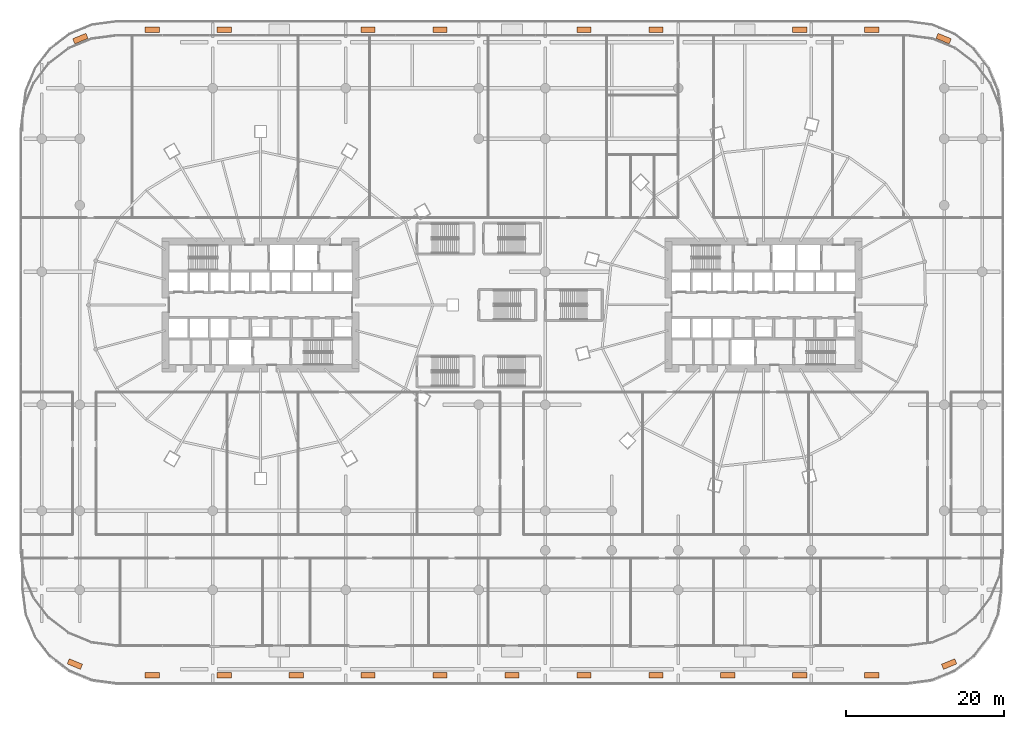
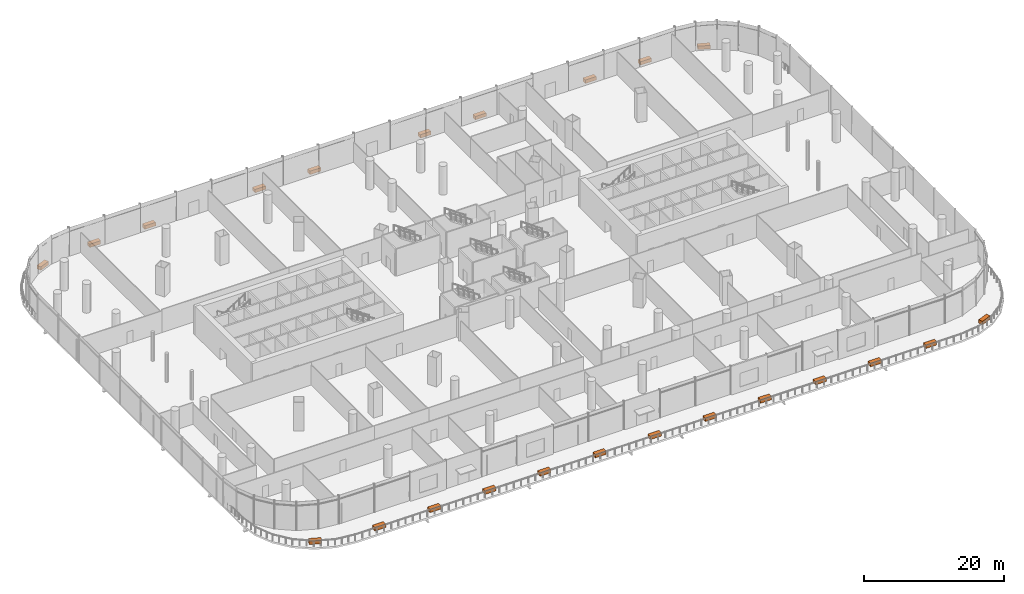
# One storey, part 51 of 51: 23 proxies.
"""IFC4 building model written with IfcOpenShell, lengths in metres."""

import ifcopenshell
import ifcopenshell.guid

model = None  # the IFC model being written
_history = None  # IfcOwnerHistory: only IFC2X3 demands one
_inside = {}  # id of a spatial element -> (the spatial element, [elements in it])
_under = {}  # id of a project, library or spatial element -> (it, [spatial elements below it])
_declared = {}  # id of a project -> (the project, [libraries it declares])
_typed = {}  # id of a type object -> (the type object, [elements of that type])
_made_of = {}  # id of a material, layer set ... -> (it, [elements and type objects made of it])


def new_model(schema):
    """Start an empty IFC model of exactly this schema.

    Asked for "IFC4X3", IfcOpenShell would pick the latest addendum, in which some entities
    have other attributes; the version numbers below select the first issue.
    IFC2X3 requires an IfcOwnerHistory on every rooted entity: one is made here for all.
    """
    global model, _history
    if schema == "IFC4X3":
        model = ifcopenshell.file(schema_version=(4, 3, 0, 0))
    else:
        model = ifcopenshell.file(schema=schema)
    _inside.clear()
    _under.clear()
    _declared.clear()
    _typed.clear()
    _made_of.clear()
    _history = None
    if model.schema == "IFC2X3":
        org = make("IfcOrganization", Name="unknown")
        user = make(
            "IfcPersonAndOrganization",
            ThePerson=make("IfcPerson", FamilyName="unknown"),
            TheOrganization=org,
        )
        app = make(
            "IfcApplication",
            ApplicationDeveloper=org,
            Version="unknown",
            ApplicationFullName="unknown",
            ApplicationIdentifier="unknown",
        )
        _history = make(
            "IfcOwnerHistory",
            OwningUser=user,
            OwningApplication=app,
            ChangeAction="ADDED",
            CreationDate=0,
        )
    return model


def make(cls, **values):
    """One entity of the class cls with the attributes given. An attribute that is None is left unset."""
    return model.create_entity(
        cls, **{name: value for name, value in values.items() if value is not None}
    )


def rooted(cls, **values):
    """An entity with a GlobalId (a new one), such as an element, a storey or a relation."""
    return make(cls, GlobalId=ifcopenshell.guid.new(), OwnerHistory=_history, **values)


def si_unit(unit_type, name, prefix=None):
    """IfcSIUnit, for example si_unit("LENGTHUNIT", "METRE", prefix="MILLI")."""
    return make("IfcSIUnit", UnitType=unit_type, Prefix=prefix, Name=name)


def assignment(units):
    """IfcUnitAssignment: the units of a project."""
    return None if units is None else make("IfcUnitAssignment", Units=units)


def point(xyz):
    """IfcCartesianPoint."""
    return None if xyz is None else make("IfcCartesianPoint", Coordinates=xyz)


def direction(xyz):
    """IfcDirection."""
    return None if xyz is None else make("IfcDirection", DirectionRatios=xyz)


def frame(location, z_axis=None, x_axis=None):
    """IfcAxis2Placement3D, a coordinate frame: its origin and axes. An axis left out is left unset."""
    return make(
        "IfcAxis2Placement3D",
        Location=point(location),
        Axis=direction(z_axis),
        RefDirection=direction(x_axis),
    )


def frame_2d(location, x_axis=None):
    """IfcAxis2Placement2D, a coordinate frame in the plane: its origin and x axis."""
    return make(
        "IfcAxis2Placement2D", Location=point(location), RefDirection=direction(x_axis)
    )


def origin():
    """The frame at (0, 0, 0) with its axes left unset."""
    return frame((0.0, 0.0, 0.0))


def origin_2d():
    """The frame at (0, 0) in the plane with its x axis left unset."""
    return frame_2d((0.0, 0.0))


def place(relative_to, where):
    """IfcLocalPlacement: puts the frame where relative to a parent placement (None: the world)."""
    return make(
        "IfcLocalPlacement", PlacementRelTo=relative_to, RelativePlacement=where
    )


def context(
    kind, dimensions, precision=None, world=None, true_north=None, identifier=None
):
    """IfcGeometricRepresentationContext, for example the 3D "Model" context."""
    return make(
        "IfcGeometricRepresentationContext",
        ContextIdentifier=identifier,
        ContextType=kind,
        CoordinateSpaceDimension=dimensions,
        Precision=precision,
        WorldCoordinateSystem=world,
        TrueNorth=true_north,
    )


def subcontext(parent, identifier, kind, view, scale=None):
    """IfcGeometricRepresentationSubContext, for example "Body" below "Model"."""
    return make(
        "IfcGeometricRepresentationSubContext",
        ContextIdentifier=identifier,
        ContextType=kind,
        ParentContext=parent,
        TargetScale=scale,
        TargetView=view,
    )


def project(units=None, contexts=None):
    """IfcProject with its units and contexts."""
    return rooted(
        "IfcProject",
        Name="project",
        RepresentationContexts=contexts,
        UnitsInContext=assignment(units),
    )


def spatial(cls, under=None, at=None, **own):
    """A site, building, storey or space (cls), placed at a placement, below another one or the project."""
    s = rooted(cls, ObjectPlacement=at, **own)
    if under is not None:
        _under.setdefault(under.id(), (under, []))[1].append(s)
    return s


def profile(cls, at=None, kind="AREA", **sizes):
    """A parametric profile (cls). Its sizes go by their IFC names, for example OverallWidth=200.0."""
    return make(cls, ProfileType=kind, Position=at, **sizes)


def rectangle(**sizes):
    """IfcRectangleProfileDef."""
    return profile("IfcRectangleProfileDef", **sizes)


def extrude(swept, where, along, depth):
    """IfcExtrudedAreaSolid: the profile swept, set in the frame where, extruded along a direction by depth."""
    return make(
        "IfcExtrudedAreaSolid",
        SweptArea=swept,
        Position=where,
        ExtrudedDirection=direction(along),
        Depth=depth,
    )


def shape(context_of_items, identifier, shape_type, items):
    """IfcShapeRepresentation: the items that make up one representation, for example the "Body"."""
    return make(
        "IfcShapeRepresentation",
        ContextOfItems=context_of_items,
        RepresentationIdentifier=identifier,
        RepresentationType=shape_type,
        Items=items,
    )


def material(Name=None, Category=None):
    """IfcMaterial."""
    return make("IfcMaterial", Name=Name, Category=Category)


def made_of(thing, what):
    """Note that an element or type object is made of a material, layer set ...; save() writes the relation."""
    if what is not None:
        _made_of.setdefault(what.id(), (what, []))[1].append(thing)
    return thing


def type_object(cls, material=None, **own):
    """A type object (cls), such as IfcWallType, which elements share."""
    return made_of(rooted(cls, **own), material)


def element(
    cls,
    number,
    at=None,
    inside=None,
    cuts=None,
    type_object=None,
    material=None,
    context=None,
    identifier="Body",
    shape_type=None,
    held_by="IfcProductDefinitionShape",
    body=None,
    shapes=None,
    **own,
):
    """One element of the class cls, such as IfcWall. Its Tag is "e" and its number.

    at: its placement. inside: the storey or other place that contains it. cuts: it is an
    opening in that element (IfcRelVoidsElement). A single representation is given by context,
    identifier, shape_type and body (its items); several are given by shapes. held_by: the class
    of the entity that holds the representations. save() writes the other relations.
    """
    e = rooted(cls, Tag="e%d" % number, ObjectPlacement=at, **own)
    if body is not None:
        shapes = [shape(context, identifier, shape_type, body)]
    if shapes is not None:
        e.Representation = make(held_by, Representations=shapes)
    if inside is not None:
        _inside.setdefault(inside.id(), (inside, []))[1].append(e)
    if cuts is not None:
        rooted(
            "IfcRelVoidsElement", RelatingBuildingElement=cuts, RelatedOpeningElement=e
        )
    if type_object is not None:
        _typed.setdefault(type_object.id(), (type_object, []))[1].append(e)
    return made_of(e, material)


def aggregate(whole, parts):
    """IfcRelAggregates: a whole, such as a stair, and the parts it consists of."""
    return rooted("IfcRelAggregates", RelatingObject=whole, RelatedObjects=parts)


def save(model, path):
    """Write the relations noted so far, then the file.

    IfcRelAggregates (storeys below a building ...), IfcRelContainedInSpatialStructure (elements
    in a storey), IfcRelDefinesByType, IfcRelAssociatesMaterial and IfcRelDeclares: one each for
    every whole, place, type object, material and project.
    """
    for whole, parts in _under.values():
        aggregate(whole, parts)
    for where, things in _inside.values():
        rooted(
            "IfcRelContainedInSpatialStructure",
            RelatedElements=things,
            RelatingStructure=where,
        )
    for kind, things in _typed.values():
        rooted("IfcRelDefinesByType", RelatedObjects=things, RelatingType=kind)
    for what, things in _made_of.values():
        rooted("IfcRelAssociatesMaterial", RelatedObjects=things, RelatingMaterial=what)
    for by, libraries in _declared.values():
        rooted("IfcRelDeclares", RelatingContext=by, RelatedDefinitions=libraries)
    model.write(path)


model = new_model("IFC4")

# Units and contexts
model_context = context("Model", 3, precision=1e-05, world=origin(), true_north=direction((0.0, 1.0)))
body_context = subcontext(model_context, "Body", "Model", "MODEL_VIEW")
ifc_project = project(units=[si_unit("LENGTHUNIT", "METRE"), si_unit("AREAUNIT", "SQUARE_METRE"), si_unit("VOLUMEUNIT", "CUBIC_METRE"), si_unit("PLANEANGLEUNIT", "RADIAN"), si_unit("MASSUNIT", "GRAM", prefix="KILO")], contexts=[model_context])

# Site, building, storey
site_placement = place(None, origin())
site = spatial("IfcSite", under=ifc_project, at=site_placement, CompositionType="ELEMENT")
building_placement = place(site_placement, origin())
building = spatial("IfcBuilding", under=site, at=building_placement, Name="Rimbun Link Towers", CompositionType="ELEMENT")
storey_placement = place(building_placement, frame((0.0, 0.0, 7.0)))
storey = spatial("IfcBuildingStorey", under=building, at=storey_placement, Name="L01", CompositionType="ELEMENT", Elevation=7.0)

# Proxies
ifc_material = material(Name="Concrete C30/37", Category="concrete")
building_element_proxy_type = type_object("IfcBuildingElementProxyType", Name="PLANTER precast box 1800X700X600", PredefinedType="USERDEFINED", material=ifc_material)
for number, where, z_axis, x_axis, name in (
    (1, (-55.22021484375, -45.3623046875, 0.0), (0.0, 0.0, 1.0), (0.923881438965, -0.382678829747, 0.0), "PLANTER"),
    (2, (-45.442626953125, -46.75, 0.0), (0.0, 0.0, 1.0), (1.0, 0.0, 0.0), "PLANTER"),
    (3, (-36.35400390625, -46.75, 0.0), (0.0, 0.0, 1.0), (1.0, 0.0, 0.0), "PLANTER"),
    (4, (-27.265625, -46.75, 0.0), (0.0, 0.0, 1.0), (1.0, 0.0, 0.0), "PLANTER"),
    (5, (-18.177001953125, -46.75, 0.0), (0.0, 0.0, 1.0), (1.0, 0.0, 0.0), "PLANTER"),
    (6, (-9.088623046875, -46.75, 0.0), (0.0, 0.0, 1.0), (1.0, 0.0, 0.0), "PLANTER"),
    (7, (0.0, -46.75, 0.0), (0.0, 0.0, 1.0), (1.0, 0.0, 0.0), "PLANTER"),
    (8, (9.088623046875, -46.75, 0.0), (0.0, 0.0, 1.0), (1.0, 0.0, 0.0), "PLANTER"),
    (9, (18.177001953125, -46.75, 0.0), (0.0, 0.0, 1.0), (1.0, 0.0, 0.0), "PLANTER"),
    (10, (27.265625, -46.75, 0.0), (0.0, 0.0, 1.0), (1.0, 0.0, 0.0), "PLANTER"),
    (11, (36.35400390625, -46.75, 0.0), (0.0, 0.0, 1.0), (1.0, 0.0, 0.0), "PLANTER"),
    (12, (45.442626953125, -46.75, 0.0), (0.0, 0.0, 1.0), (1.0, 0.0, 0.0), "PLANTER"),
    (13, (55.22021484375, -45.3623046875, 0.0), (0.0, 0.0, 1.0), (0.923881438965, 0.382678829747, 0.0), "PLANTER"),
    (14, (54.52734375, 33.649169921875, 0.0), (0.0, 0.0, 1.0), (-0.923881438965, 0.382678829747, 0.0), "PLANTER"),
    (15, (45.442626953125, 34.75, 0.0), (0.0, 0.0, 1.0), (-1.0, 0.0, 0.0), "PLANTER"),
    (16, (36.35400390625, 34.75, 0.0), (0.0, 0.0, 1.0), (-1.0, 0.0, 0.0), "PLANTER"),
    (17, (18.177001953125, 34.75, 0.0), (0.0, 0.0, 1.0), (-1.0, 0.0, 0.0), "PLANTER"),
    (18, (9.088623046875, 34.75, 0.0), (0.0, 0.0, 1.0), (-1.0, 0.0, 0.0), "PLANTER"),
    (19, (-9.088623046875, 34.75, 0.0), (0.0, 0.0, 1.0), (-1.0, 0.0, 0.0), "PLANTER"),
    (20, (-18.177001953125, 34.75, 0.0), (0.0, 0.0, 1.0), (-1.0, 0.0, 0.0), "PLANTER"),
    (21, (-36.35400390625, 34.75, 0.0), (0.0, 0.0, 1.0), (-1.0, 0.0, 0.0), "PLANTER"),
    (22, (-45.442626953125, 34.75, 0.0), (0.0, 0.0, 1.0), (-1.0, 0.0, 0.0), "PLANTER"),
    (23, (-54.52734375, 33.649169921875, 0.0), (0.0, 0.0, 1.0), (-0.923881438965, -0.382678829747, 0.0), "PLANTER"),
):
    element("IfcBuildingElementProxy", number, at=place(storey_placement, frame(where, z_axis=z_axis, x_axis=x_axis)), inside=storey, type_object=building_element_proxy_type, Name=name, ObjectType="PLANTER", PredefinedType="USERDEFINED", context=body_context, shape_type="SweptSolid", body=[
        extrude(rectangle(XDim=1.800048828125, YDim=0.699951171875, at=origin_2d()), origin(), (0.0, 0.0, 1.0), 0.60009765625),
    ])

save(model, "model.ifc")
